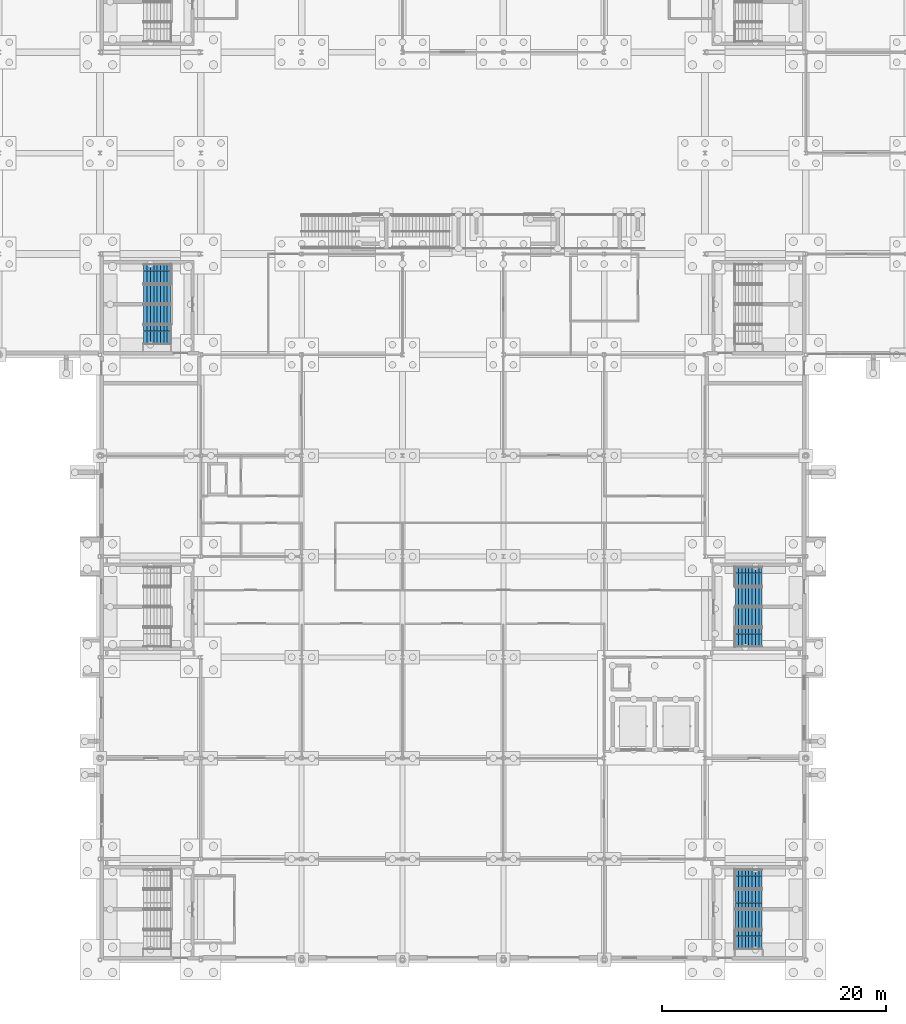
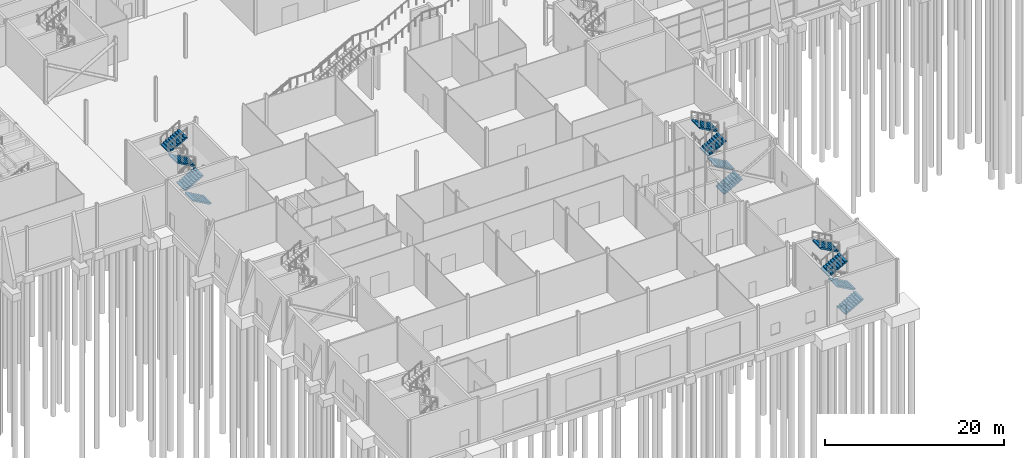
# One storey, part 115 of 139: 12 stair flights, 3 elements without a shape of their own.
"""IFC4 building model written with IfcOpenShell, lengths in metres."""

from ifc_helpers import new_model, si_unit, direction, frame, origin, place, context, subcontext, project, spatial, polyline, outline, extrude, material, type_object, element, aggregate, save


model = new_model("IFC4")

# Units and contexts
model_context = context("Model", 3, precision=1e-05, world=origin(), true_north=direction((0.0, 1.0)))
body_context = subcontext(model_context, "Body", "Model", "MODEL_VIEW")
ifc_project = project(units=[si_unit("LENGTHUNIT", "METRE"), si_unit("AREAUNIT", "SQUARE_METRE"), si_unit("VOLUMEUNIT", "CUBIC_METRE"), si_unit("PLANEANGLEUNIT", "RADIAN"), si_unit("MASSUNIT", "GRAM", prefix="KILO")], contexts=[model_context])

# Site, building, storey
site_placement = place(None, origin())
site = spatial("IfcSite", under=ifc_project, at=site_placement, CompositionType="ELEMENT")
building_placement = place(site_placement, origin())
building = spatial("IfcBuilding", under=site, at=building_placement, Name="Shorebreak Coast Museum", CompositionType="ELEMENT")
storey_placement = place(building_placement, origin())
storey = spatial("IfcBuildingStorey", under=building, at=storey_placement, Name="L00", CompositionType="ELEMENT", Elevation=0.0)

# Stair, stair flights
ifc_material_1 = material(Name="Concrete N40 (40 MPa)", Category="concrete")
stair_type = type_object("IfcStairType", Name="Stair run 6 m", PredefinedType="DOUBLE_RETURN_STAIR", material=ifc_material_1)
stair_1_placement = place(storey_placement, origin())
stair_1 = element("IfcStair", 1, at=stair_1_placement, inside=storey, type_object=stair_type, Name="Exit stair ST01-L00", PredefinedType="DOUBLE_RETURN_STAIR")
ifc_material_2 = material(Name="Concrete N40 (40 MPa)", Category="concrete")
stair_flight_type = type_object("IfcStairFlightType", Name="Stair flight 9 risers 166.67", PredefinedType="STRAIGHT", material=ifc_material_2)
stair_flight_1_placement = place(storey_placement, frame((60.300048828125, 55.800048828125, 0.0), z_axis=(0.0, 0.0, 1.0), x_axis=(-1.0, 0.0, 0.0)))
stair_flight_1 = element("IfcStairFlight", 2, at=stair_flight_1_placement, type_object=stair_flight_type, Name="ST01-L00 flight 1", NumberOfRisers=9, NumberOfTreads=8, PredefinedType="STRAIGHT", RiserHeight=0.166666667, TreadLength=0.3, context=body_context, shape_type="SweptSolid", body=[
    extrude(outline(polyline([(0.0, 0.0), (0.0, 0.166748046875), (0.300048828125, 0.166748046875), (0.300048828125, 0.333251953125), (0.60009765625, 0.333251953125), (0.60009765625, 0.5), (0.89990234375, 0.5), (0.89990234375, 0.666748046875), (1.199951171875, 0.666748046875), (1.199951171875, 0.833251953125), (1.5, 0.833251953125), (1.5, 1.0), (1.800048828125, 1.0), (1.800048828125, 1.166748046875), (2.10009765625, 1.166748046875), (2.10009765625, 1.333251953125), (2.39990234375, 1.333251953125), (2.39990234375, 1.5), (2.39990234375, 1.161865234375), (0.30859375, 0.0), (0.0, 0.0)])), frame((0.0, 0.89990234375, 0.0), z_axis=(0.0, -1.0, 0.0), x_axis=(1.0, 0.0, 0.0)), (0.0, 0.0, 1.0), 0.59326171875),
    extrude(outline(polyline([(0.0, 0.0), (0.0, 0.166748046875), (0.300048828125, 0.166748046875), (0.300048828125, 0.333251953125), (0.60009765625, 0.333251953125), (0.60009765625, 0.5), (0.89990234375, 0.5), (0.89990234375, 0.666748046875), (1.199951171875, 0.666748046875), (1.199951171875, 0.833251953125), (1.5, 0.833251953125), (1.5, 1.0), (1.800048828125, 1.0), (1.800048828125, 1.166748046875), (2.10009765625, 1.166748046875), (2.10009765625, 1.333251953125), (2.39990234375, 1.333251953125), (2.39990234375, 1.5), (2.39990234375, 1.161865234375), (0.30859375, 0.0), (0.0, 0.0)])), frame((0.0, 0.296630859375, 0.0), z_axis=(0.0, -1.0, 0.0), x_axis=(1.0, 0.0, 0.0)), (0.0, 0.0, 1.0), 0.59326171875),
    extrude(outline(polyline([(0.0, 0.0), (0.0, 0.166748046875), (0.300048828125, 0.166748046875), (0.300048828125, 0.333251953125), (0.60009765625, 0.333251953125), (0.60009765625, 0.5), (0.89990234375, 0.5), (0.89990234375, 0.666748046875), (1.199951171875, 0.666748046875), (1.199951171875, 0.833251953125), (1.5, 0.833251953125), (1.5, 1.0), (1.800048828125, 1.0), (1.800048828125, 1.166748046875), (2.10009765625, 1.166748046875), (2.10009765625, 1.333251953125), (2.39990234375, 1.333251953125), (2.39990234375, 1.5), (2.39990234375, 1.161865234375), (0.30859375, 0.0), (0.0, 0.0)])), frame((0.0, -0.306640625, 0.0), z_axis=(0.0, -1.0, 0.0), x_axis=(1.0, 0.0, 0.0)), (0.0, 0.0, 1.0), 0.59326171875),
])
stair_flight_2_placement = place(storey_placement, frame((57.89990234375, 57.60009765625, 1.5), z_axis=(0.0, 0.0, 1.0), x_axis=(1.0, 0.0, 0.0)))
stair_flight_2 = element("IfcStairFlight", 3, at=stair_flight_2_placement, type_object=stair_flight_type, Name="ST01-L00 flight 2", NumberOfRisers=9, NumberOfTreads=8, PredefinedType="STRAIGHT", RiserHeight=0.166666667, TreadLength=0.3, context=body_context, shape_type="SweptSolid", body=[
    extrude(outline(polyline([(0.0, 0.0), (0.0, 0.166748046875), (0.300048828125, 0.166748046875), (0.300048828125, 0.333251953125), (0.60009765625, 0.333251953125), (0.60009765625, 0.5), (0.89990234375, 0.5), (0.89990234375, 0.666748046875), (1.199951171875, 0.666748046875), (1.199951171875, 0.833251953125), (1.5, 0.833251953125), (1.5, 1.0), (1.800048828125, 1.0), (1.800048828125, 1.166748046875), (2.10009765625, 1.166748046875), (2.10009765625, 1.333251953125), (2.39990234375, 1.333251953125), (2.39990234375, 1.5), (2.39990234375, 1.161865234375), (0.30859375, 0.0), (0.0, 0.0)])), frame((0.0, 0.89990234375, 0.0), z_axis=(0.0, -1.0, 0.0), x_axis=(1.0, 0.0, 0.0)), (0.0, 0.0, 1.0), 0.59326171875),
    extrude(outline(polyline([(0.0, 0.0), (0.0, 0.166748046875), (0.300048828125, 0.166748046875), (0.300048828125, 0.333251953125), (0.60009765625, 0.333251953125), (0.60009765625, 0.5), (0.89990234375, 0.5), (0.89990234375, 0.666748046875), (1.199951171875, 0.666748046875), (1.199951171875, 0.833251953125), (1.5, 0.833251953125), (1.5, 1.0), (1.800048828125, 1.0), (1.800048828125, 1.166748046875), (2.10009765625, 1.166748046875), (2.10009765625, 1.333251953125), (2.39990234375, 1.333251953125), (2.39990234375, 1.5), (2.39990234375, 1.161865234375), (0.30859375, 0.0), (0.0, 0.0)])), frame((0.0, 0.296630859375, 0.0), z_axis=(0.0, -1.0, 0.0), x_axis=(1.0, 0.0, 0.0)), (0.0, 0.0, 1.0), 0.59326171875),
    extrude(outline(polyline([(0.0, 0.0), (0.0, 0.166748046875), (0.300048828125, 0.166748046875), (0.300048828125, 0.333251953125), (0.60009765625, 0.333251953125), (0.60009765625, 0.5), (0.89990234375, 0.5), (0.89990234375, 0.666748046875), (1.199951171875, 0.666748046875), (1.199951171875, 0.833251953125), (1.5, 0.833251953125), (1.5, 1.0), (1.800048828125, 1.0), (1.800048828125, 1.166748046875), (2.10009765625, 1.166748046875), (2.10009765625, 1.333251953125), (2.39990234375, 1.333251953125), (2.39990234375, 1.5), (2.39990234375, 1.161865234375), (0.30859375, 0.0), (0.0, 0.0)])), frame((0.0, -0.306640625, 0.0), z_axis=(0.0, -1.0, 0.0), x_axis=(1.0, 0.0, 0.0)), (0.0, 0.0, 1.0), 0.59326171875),
])
stair_flight_3_placement = place(storey_placement, frame((60.300048828125, 59.39990234375, 3.0), z_axis=(0.0, 0.0, 1.0), x_axis=(-1.0, 0.0, 0.0)))
stair_flight_3 = element("IfcStairFlight", 4, at=stair_flight_3_placement, type_object=stair_flight_type, Name="ST01-L00 flight 3", NumberOfRisers=9, NumberOfTreads=8, PredefinedType="STRAIGHT", RiserHeight=0.166666667, TreadLength=0.3, context=body_context, shape_type="SweptSolid", body=[
    extrude(outline(polyline([(0.0, 0.0), (0.0, 0.166748046875), (0.300048828125, 0.166748046875), (0.300048828125, 0.333251953125), (0.60009765625, 0.333251953125), (0.60009765625, 0.5), (0.89990234375, 0.5), (0.89990234375, 0.666748046875), (1.199951171875, 0.666748046875), (1.199951171875, 0.833251953125), (1.5, 0.833251953125), (1.5, 1.0), (1.800048828125, 1.0), (1.800048828125, 1.166748046875), (2.10009765625, 1.166748046875), (2.10009765625, 1.333251953125), (2.39990234375, 1.333251953125), (2.39990234375, 1.5), (2.39990234375, 1.161865234375), (0.30859375, 0.0), (0.0, 0.0)])), frame((0.0, 0.89990234375, 0.0), z_axis=(0.0, -1.0, 0.0), x_axis=(1.0, 0.0, 0.0)), (0.0, 0.0, 1.0), 0.59326171875),
    extrude(outline(polyline([(0.0, 0.0), (0.0, 0.166748046875), (0.300048828125, 0.166748046875), (0.300048828125, 0.333251953125), (0.60009765625, 0.333251953125), (0.60009765625, 0.5), (0.89990234375, 0.5), (0.89990234375, 0.666748046875), (1.199951171875, 0.666748046875), (1.199951171875, 0.833251953125), (1.5, 0.833251953125), (1.5, 1.0), (1.800048828125, 1.0), (1.800048828125, 1.166748046875), (2.10009765625, 1.166748046875), (2.10009765625, 1.333251953125), (2.39990234375, 1.333251953125), (2.39990234375, 1.5), (2.39990234375, 1.161865234375), (0.30859375, 0.0), (0.0, 0.0)])), frame((0.0, 0.296630859375, 0.0), z_axis=(0.0, -1.0, 0.0), x_axis=(1.0, 0.0, 0.0)), (0.0, 0.0, 1.0), 0.59326171875),
    extrude(outline(polyline([(0.0, 0.0), (0.0, 0.166748046875), (0.300048828125, 0.166748046875), (0.300048828125, 0.333251953125), (0.60009765625, 0.333251953125), (0.60009765625, 0.5), (0.89990234375, 0.5), (0.89990234375, 0.666748046875), (1.199951171875, 0.666748046875), (1.199951171875, 0.833251953125), (1.5, 0.833251953125), (1.5, 1.0), (1.800048828125, 1.0), (1.800048828125, 1.166748046875), (2.10009765625, 1.166748046875), (2.10009765625, 1.333251953125), (2.39990234375, 1.333251953125), (2.39990234375, 1.5), (2.39990234375, 1.161865234375), (0.30859375, 0.0), (0.0, 0.0)])), frame((0.0, -0.306640625, 0.0), z_axis=(0.0, -1.0, 0.0), x_axis=(1.0, 0.0, 0.0)), (0.0, 0.0, 1.0), 0.59326171875),
])
stair_flight_4_placement = place(storey_placement, frame((57.89990234375, 61.199951171875, 4.5), z_axis=(0.0, 0.0, 1.0), x_axis=(1.0, 0.0, 0.0)))
stair_flight_4 = element("IfcStairFlight", 5, at=stair_flight_4_placement, type_object=stair_flight_type, Name="ST01-L00 flight 4", NumberOfRisers=9, NumberOfTreads=8, PredefinedType="STRAIGHT", RiserHeight=0.166666667, TreadLength=0.3, context=body_context, shape_type="SweptSolid", body=[
    extrude(outline(polyline([(0.0, 0.0), (0.0, 0.166748046875), (0.300048828125, 0.166748046875), (0.300048828125, 0.333251953125), (0.60009765625, 0.333251953125), (0.60009765625, 0.5), (0.89990234375, 0.5), (0.89990234375, 0.666748046875), (1.199951171875, 0.666748046875), (1.199951171875, 0.833251953125), (1.5, 0.833251953125), (1.5, 1.0), (1.800048828125, 1.0), (1.800048828125, 1.166748046875), (2.10009765625, 1.166748046875), (2.10009765625, 1.333251953125), (2.39990234375, 1.333251953125), (2.39990234375, 1.5), (2.39990234375, 1.161865234375), (0.30859375, 0.0), (0.0, 0.0)])), frame((0.0, 0.89990234375, 0.0), z_axis=(0.0, -1.0, 0.0), x_axis=(1.0, 0.0, 0.0)), (0.0, 0.0, 1.0), 0.59326171875),
    extrude(outline(polyline([(0.0, 0.0), (0.0, 0.166748046875), (0.300048828125, 0.166748046875), (0.300048828125, 0.333251953125), (0.60009765625, 0.333251953125), (0.60009765625, 0.5), (0.89990234375, 0.5), (0.89990234375, 0.666748046875), (1.199951171875, 0.666748046875), (1.199951171875, 0.833251953125), (1.5, 0.833251953125), (1.5, 1.0), (1.800048828125, 1.0), (1.800048828125, 1.166748046875), (2.10009765625, 1.166748046875), (2.10009765625, 1.333251953125), (2.39990234375, 1.333251953125), (2.39990234375, 1.5), (2.39990234375, 1.161865234375), (0.30859375, 0.0), (0.0, 0.0)])), frame((0.0, 0.296630859375, 0.0), z_axis=(0.0, -1.0, 0.0), x_axis=(1.0, 0.0, 0.0)), (0.0, 0.0, 1.0), 0.59326171875),
    extrude(outline(polyline([(0.0, 0.0), (0.0, 0.166748046875), (0.300048828125, 0.166748046875), (0.300048828125, 0.333251953125), (0.60009765625, 0.333251953125), (0.60009765625, 0.5), (0.89990234375, 0.5), (0.89990234375, 0.666748046875), (1.199951171875, 0.666748046875), (1.199951171875, 0.833251953125), (1.5, 0.833251953125), (1.5, 1.0), (1.800048828125, 1.0), (1.800048828125, 1.166748046875), (2.10009765625, 1.166748046875), (2.10009765625, 1.333251953125), (2.39990234375, 1.333251953125), (2.39990234375, 1.5), (2.39990234375, 1.161865234375), (0.30859375, 0.0), (0.0, 0.0)])), frame((0.0, -0.306640625, 0.0), z_axis=(0.0, -1.0, 0.0), x_axis=(1.0, 0.0, 0.0)), (0.0, 0.0, 1.0), 0.59326171875),
])
aggregate(stair_1, [stair_flight_1, stair_flight_2, stair_flight_3, stair_flight_4])

stair_2_placement = place(storey_placement, origin())
stair_2 = element("IfcStair", 6, at=stair_2_placement, inside=storey, type_object=stair_type, Name="Exit stair ST12-L00", PredefinedType="DOUBLE_RETURN_STAIR")
stair_flight_5_placement = place(storey_placement, frame((110.699951171875, 1.800048828125, 0.0), z_axis=(0.0, 0.0, 1.0), x_axis=(1.0, 0.0, 0.0)))
stair_flight_5 = element("IfcStairFlight", 7, at=stair_flight_5_placement, type_object=stair_flight_type, Name="ST12-L00 flight 1", NumberOfRisers=9, NumberOfTreads=8, PredefinedType="STRAIGHT", RiserHeight=0.166666667, TreadLength=0.3, context=body_context, shape_type="SweptSolid", body=[
    extrude(outline(polyline([(0.0, 0.0), (0.0, 0.166748046875), (0.300048828125, 0.166748046875), (0.300048828125, 0.333251953125), (0.60009765625, 0.333251953125), (0.60009765625, 0.5), (0.89990234375, 0.5), (0.89990234375, 0.666748046875), (1.199951171875, 0.666748046875), (1.199951171875, 0.833251953125), (1.5, 0.833251953125), (1.5, 1.0), (1.800048828125, 1.0), (1.800048828125, 1.166748046875), (2.10009765625, 1.166748046875), (2.10009765625, 1.333251953125), (2.39990234375, 1.333251953125), (2.39990234375, 1.5), (2.39990234375, 1.161865234375), (0.30859375, 0.0), (0.0, 0.0)])), frame((0.0, 0.89990234375, 0.0), z_axis=(0.0, -1.0, 0.0), x_axis=(1.0, 0.0, 0.0)), (0.0, 0.0, 1.0), 0.59326171875),
    extrude(outline(polyline([(0.0, 0.0), (0.0, 0.166748046875), (0.300048828125, 0.166748046875), (0.300048828125, 0.333251953125), (0.60009765625, 0.333251953125), (0.60009765625, 0.5), (0.89990234375, 0.5), (0.89990234375, 0.666748046875), (1.199951171875, 0.666748046875), (1.199951171875, 0.833251953125), (1.5, 0.833251953125), (1.5, 1.0), (1.800048828125, 1.0), (1.800048828125, 1.166748046875), (2.10009765625, 1.166748046875), (2.10009765625, 1.333251953125), (2.39990234375, 1.333251953125), (2.39990234375, 1.5), (2.39990234375, 1.161865234375), (0.30859375, 0.0), (0.0, 0.0)])), frame((0.0, 0.296630859375, 0.0), z_axis=(0.0, -1.0, 0.0), x_axis=(1.0, 0.0, 0.0)), (0.0, 0.0, 1.0), 0.59326171875),
    extrude(outline(polyline([(0.0, 0.0), (0.0, 0.166748046875), (0.300048828125, 0.166748046875), (0.300048828125, 0.333251953125), (0.60009765625, 0.333251953125), (0.60009765625, 0.5), (0.89990234375, 0.5), (0.89990234375, 0.666748046875), (1.199951171875, 0.666748046875), (1.199951171875, 0.833251953125), (1.5, 0.833251953125), (1.5, 1.0), (1.800048828125, 1.0), (1.800048828125, 1.166748046875), (2.10009765625, 1.166748046875), (2.10009765625, 1.333251953125), (2.39990234375, 1.333251953125), (2.39990234375, 1.5), (2.39990234375, 1.161865234375), (0.30859375, 0.0), (0.0, 0.0)])), frame((0.0, -0.306640625, 0.0), z_axis=(0.0, -1.0, 0.0), x_axis=(1.0, 0.0, 0.0)), (0.0, 0.0, 1.0), 0.59326171875),
])
stair_flight_6_placement = place(storey_placement, frame((113.10009765625, 3.60009765625, 1.5), z_axis=(0.0, 0.0, 1.0), x_axis=(-1.0, 0.0, 0.0)))
stair_flight_6 = element("IfcStairFlight", 8, at=stair_flight_6_placement, type_object=stair_flight_type, Name="ST12-L00 flight 2", NumberOfRisers=9, NumberOfTreads=8, PredefinedType="STRAIGHT", RiserHeight=0.166666667, TreadLength=0.3, context=body_context, shape_type="SweptSolid", body=[
    extrude(outline(polyline([(0.0, 0.0), (0.0, 0.166748046875), (0.300048828125, 0.166748046875), (0.300048828125, 0.333251953125), (0.60009765625, 0.333251953125), (0.60009765625, 0.5), (0.89990234375, 0.5), (0.89990234375, 0.666748046875), (1.199951171875, 0.666748046875), (1.199951171875, 0.833251953125), (1.5, 0.833251953125), (1.5, 1.0), (1.800048828125, 1.0), (1.800048828125, 1.166748046875), (2.10009765625, 1.166748046875), (2.10009765625, 1.333251953125), (2.39990234375, 1.333251953125), (2.39990234375, 1.5), (2.39990234375, 1.161865234375), (0.30859375, 0.0), (0.0, 0.0)])), frame((0.0, 0.89990234375, 0.0), z_axis=(0.0, -1.0, 0.0), x_axis=(1.0, 0.0, 0.0)), (0.0, 0.0, 1.0), 0.59326171875),
    extrude(outline(polyline([(0.0, 0.0), (0.0, 0.166748046875), (0.300048828125, 0.166748046875), (0.300048828125, 0.333251953125), (0.60009765625, 0.333251953125), (0.60009765625, 0.5), (0.89990234375, 0.5), (0.89990234375, 0.666748046875), (1.199951171875, 0.666748046875), (1.199951171875, 0.833251953125), (1.5, 0.833251953125), (1.5, 1.0), (1.800048828125, 1.0), (1.800048828125, 1.166748046875), (2.10009765625, 1.166748046875), (2.10009765625, 1.333251953125), (2.39990234375, 1.333251953125), (2.39990234375, 1.5), (2.39990234375, 1.161865234375), (0.30859375, 0.0), (0.0, 0.0)])), frame((0.0, 0.296630859375, 0.0), z_axis=(0.0, -1.0, 0.0), x_axis=(1.0, 0.0, 0.0)), (0.0, 0.0, 1.0), 0.59326171875),
    extrude(outline(polyline([(0.0, 0.0), (0.0, 0.166748046875), (0.300048828125, 0.166748046875), (0.300048828125, 0.333251953125), (0.60009765625, 0.333251953125), (0.60009765625, 0.5), (0.89990234375, 0.5), (0.89990234375, 0.666748046875), (1.199951171875, 0.666748046875), (1.199951171875, 0.833251953125), (1.5, 0.833251953125), (1.5, 1.0), (1.800048828125, 1.0), (1.800048828125, 1.166748046875), (2.10009765625, 1.166748046875), (2.10009765625, 1.333251953125), (2.39990234375, 1.333251953125), (2.39990234375, 1.5), (2.39990234375, 1.161865234375), (0.30859375, 0.0), (0.0, 0.0)])), frame((0.0, -0.306640625, 0.0), z_axis=(0.0, -1.0, 0.0), x_axis=(1.0, 0.0, 0.0)), (0.0, 0.0, 1.0), 0.59326171875),
])
stair_flight_7_placement = place(storey_placement, frame((110.699951171875, 5.39990234375, 3.0), z_axis=(0.0, 0.0, 1.0), x_axis=(1.0, 0.0, 0.0)))
stair_flight_7 = element("IfcStairFlight", 9, at=stair_flight_7_placement, type_object=stair_flight_type, Name="ST12-L00 flight 3", NumberOfRisers=9, NumberOfTreads=8, PredefinedType="STRAIGHT", RiserHeight=0.166666667, TreadLength=0.3, context=body_context, shape_type="SweptSolid", body=[
    extrude(outline(polyline([(0.0, 0.0), (0.0, 0.166748046875), (0.300048828125, 0.166748046875), (0.300048828125, 0.333251953125), (0.60009765625, 0.333251953125), (0.60009765625, 0.5), (0.89990234375, 0.5), (0.89990234375, 0.666748046875), (1.199951171875, 0.666748046875), (1.199951171875, 0.833251953125), (1.5, 0.833251953125), (1.5, 1.0), (1.800048828125, 1.0), (1.800048828125, 1.166748046875), (2.10009765625, 1.166748046875), (2.10009765625, 1.333251953125), (2.39990234375, 1.333251953125), (2.39990234375, 1.5), (2.39990234375, 1.161865234375), (0.30859375, 0.0), (0.0, 0.0)])), frame((0.0, 0.89990234375, 0.0), z_axis=(0.0, -1.0, 0.0), x_axis=(1.0, 0.0, 0.0)), (0.0, 0.0, 1.0), 0.59326171875),
    extrude(outline(polyline([(0.0, 0.0), (0.0, 0.166748046875), (0.300048828125, 0.166748046875), (0.300048828125, 0.333251953125), (0.60009765625, 0.333251953125), (0.60009765625, 0.5), (0.89990234375, 0.5), (0.89990234375, 0.666748046875), (1.199951171875, 0.666748046875), (1.199951171875, 0.833251953125), (1.5, 0.833251953125), (1.5, 1.0), (1.800048828125, 1.0), (1.800048828125, 1.166748046875), (2.10009765625, 1.166748046875), (2.10009765625, 1.333251953125), (2.39990234375, 1.333251953125), (2.39990234375, 1.5), (2.39990234375, 1.161865234375), (0.30859375, 0.0), (0.0, 0.0)])), frame((0.0, 0.296630859375, 0.0), z_axis=(0.0, -1.0, 0.0), x_axis=(1.0, 0.0, 0.0)), (0.0, 0.0, 1.0), 0.59326171875),
    extrude(outline(polyline([(0.0, 0.0), (0.0, 0.166748046875), (0.300048828125, 0.166748046875), (0.300048828125, 0.333251953125), (0.60009765625, 0.333251953125), (0.60009765625, 0.5), (0.89990234375, 0.5), (0.89990234375, 0.666748046875), (1.199951171875, 0.666748046875), (1.199951171875, 0.833251953125), (1.5, 0.833251953125), (1.5, 1.0), (1.800048828125, 1.0), (1.800048828125, 1.166748046875), (2.10009765625, 1.166748046875), (2.10009765625, 1.333251953125), (2.39990234375, 1.333251953125), (2.39990234375, 1.5), (2.39990234375, 1.161865234375), (0.30859375, 0.0), (0.0, 0.0)])), frame((0.0, -0.306640625, 0.0), z_axis=(0.0, -1.0, 0.0), x_axis=(1.0, 0.0, 0.0)), (0.0, 0.0, 1.0), 0.59326171875),
])
stair_flight_8_placement = place(storey_placement, frame((113.10009765625, 7.199951171875, 4.5), z_axis=(0.0, 0.0, 1.0), x_axis=(-1.0, 0.0, 0.0)))
stair_flight_8 = element("IfcStairFlight", 10, at=stair_flight_8_placement, type_object=stair_flight_type, Name="ST12-L00 flight 4", NumberOfRisers=9, NumberOfTreads=8, PredefinedType="STRAIGHT", RiserHeight=0.166666667, TreadLength=0.3, context=body_context, shape_type="SweptSolid", body=[
    extrude(outline(polyline([(0.0, 0.0), (0.0, 0.166748046875), (0.300048828125, 0.166748046875), (0.300048828125, 0.333251953125), (0.60009765625, 0.333251953125), (0.60009765625, 0.5), (0.89990234375, 0.5), (0.89990234375, 0.666748046875), (1.199951171875, 0.666748046875), (1.199951171875, 0.833251953125), (1.5, 0.833251953125), (1.5, 1.0), (1.800048828125, 1.0), (1.800048828125, 1.166748046875), (2.10009765625, 1.166748046875), (2.10009765625, 1.333251953125), (2.39990234375, 1.333251953125), (2.39990234375, 1.5), (2.39990234375, 1.161865234375), (0.30859375, 0.0), (0.0, 0.0)])), frame((0.0, 0.89990234375, 0.0), z_axis=(0.0, -1.0, 0.0), x_axis=(1.0, 0.0, 0.0)), (0.0, 0.0, 1.0), 0.59326171875),
    extrude(outline(polyline([(0.0, 0.0), (0.0, 0.166748046875), (0.300048828125, 0.166748046875), (0.300048828125, 0.333251953125), (0.60009765625, 0.333251953125), (0.60009765625, 0.5), (0.89990234375, 0.5), (0.89990234375, 0.666748046875), (1.199951171875, 0.666748046875), (1.199951171875, 0.833251953125), (1.5, 0.833251953125), (1.5, 1.0), (1.800048828125, 1.0), (1.800048828125, 1.166748046875), (2.10009765625, 1.166748046875), (2.10009765625, 1.333251953125), (2.39990234375, 1.333251953125), (2.39990234375, 1.5), (2.39990234375, 1.161865234375), (0.30859375, 0.0), (0.0, 0.0)])), frame((0.0, 0.296630859375, 0.0), z_axis=(0.0, -1.0, 0.0), x_axis=(1.0, 0.0, 0.0)), (0.0, 0.0, 1.0), 0.59326171875),
    extrude(outline(polyline([(0.0, 0.0), (0.0, 0.166748046875), (0.300048828125, 0.166748046875), (0.300048828125, 0.333251953125), (0.60009765625, 0.333251953125), (0.60009765625, 0.5), (0.89990234375, 0.5), (0.89990234375, 0.666748046875), (1.199951171875, 0.666748046875), (1.199951171875, 0.833251953125), (1.5, 0.833251953125), (1.5, 1.0), (1.800048828125, 1.0), (1.800048828125, 1.166748046875), (2.10009765625, 1.166748046875), (2.10009765625, 1.333251953125), (2.39990234375, 1.333251953125), (2.39990234375, 1.5), (2.39990234375, 1.161865234375), (0.30859375, 0.0), (0.0, 0.0)])), frame((0.0, -0.306640625, 0.0), z_axis=(0.0, -1.0, 0.0), x_axis=(1.0, 0.0, 0.0)), (0.0, 0.0, 1.0), 0.59326171875),
])
aggregate(stair_2, [stair_flight_5, stair_flight_6, stair_flight_7, stair_flight_8])

stair_3_placement = place(storey_placement, origin())
stair_3 = element("IfcStair", 11, at=stair_3_placement, inside=storey, type_object=stair_type, Name="Exit stair ST14-L00", PredefinedType="DOUBLE_RETURN_STAIR")
stair_flight_9_placement = place(storey_placement, frame((110.699951171875, 28.800048828125, 0.0), z_axis=(0.0, 0.0, 1.0), x_axis=(1.0, 0.0, 0.0)))
stair_flight_9 = element("IfcStairFlight", 12, at=stair_flight_9_placement, type_object=stair_flight_type, Name="ST14-L00 flight 1", NumberOfRisers=9, NumberOfTreads=8, PredefinedType="STRAIGHT", RiserHeight=0.166666667, TreadLength=0.3, context=body_context, shape_type="SweptSolid", body=[
    extrude(outline(polyline([(0.0, 0.0), (0.0, 0.166748046875), (0.300048828125, 0.166748046875), (0.300048828125, 0.333251953125), (0.60009765625, 0.333251953125), (0.60009765625, 0.5), (0.89990234375, 0.5), (0.89990234375, 0.666748046875), (1.199951171875, 0.666748046875), (1.199951171875, 0.833251953125), (1.5, 0.833251953125), (1.5, 1.0), (1.800048828125, 1.0), (1.800048828125, 1.166748046875), (2.10009765625, 1.166748046875), (2.10009765625, 1.333251953125), (2.39990234375, 1.333251953125), (2.39990234375, 1.5), (2.39990234375, 1.161865234375), (0.30859375, 0.0), (0.0, 0.0)])), frame((0.0, 0.89990234375, 0.0), z_axis=(0.0, -1.0, 0.0), x_axis=(1.0, 0.0, 0.0)), (0.0, 0.0, 1.0), 0.59326171875),
    extrude(outline(polyline([(0.0, 0.0), (0.0, 0.166748046875), (0.300048828125, 0.166748046875), (0.300048828125, 0.333251953125), (0.60009765625, 0.333251953125), (0.60009765625, 0.5), (0.89990234375, 0.5), (0.89990234375, 0.666748046875), (1.199951171875, 0.666748046875), (1.199951171875, 0.833251953125), (1.5, 0.833251953125), (1.5, 1.0), (1.800048828125, 1.0), (1.800048828125, 1.166748046875), (2.10009765625, 1.166748046875), (2.10009765625, 1.333251953125), (2.39990234375, 1.333251953125), (2.39990234375, 1.5), (2.39990234375, 1.161865234375), (0.30859375, 0.0), (0.0, 0.0)])), frame((0.0, 0.296630859375, 0.0), z_axis=(0.0, -1.0, 0.0), x_axis=(1.0, 0.0, 0.0)), (0.0, 0.0, 1.0), 0.59326171875),
    extrude(outline(polyline([(0.0, 0.0), (0.0, 0.166748046875), (0.300048828125, 0.166748046875), (0.300048828125, 0.333251953125), (0.60009765625, 0.333251953125), (0.60009765625, 0.5), (0.89990234375, 0.5), (0.89990234375, 0.666748046875), (1.199951171875, 0.666748046875), (1.199951171875, 0.833251953125), (1.5, 0.833251953125), (1.5, 1.0), (1.800048828125, 1.0), (1.800048828125, 1.166748046875), (2.10009765625, 1.166748046875), (2.10009765625, 1.333251953125), (2.39990234375, 1.333251953125), (2.39990234375, 1.5), (2.39990234375, 1.161865234375), (0.30859375, 0.0), (0.0, 0.0)])), frame((0.0, -0.306640625, 0.0), z_axis=(0.0, -1.0, 0.0), x_axis=(1.0, 0.0, 0.0)), (0.0, 0.0, 1.0), 0.59326171875),
])
stair_flight_10_placement = place(storey_placement, frame((113.10009765625, 30.60009765625, 1.5), z_axis=(0.0, 0.0, 1.0), x_axis=(-1.0, 0.0, 0.0)))
stair_flight_10 = element("IfcStairFlight", 13, at=stair_flight_10_placement, type_object=stair_flight_type, Name="ST14-L00 flight 2", NumberOfRisers=9, NumberOfTreads=8, PredefinedType="STRAIGHT", RiserHeight=0.166666667, TreadLength=0.3, context=body_context, shape_type="SweptSolid", body=[
    extrude(outline(polyline([(0.0, 0.0), (0.0, 0.166748046875), (0.300048828125, 0.166748046875), (0.300048828125, 0.333251953125), (0.60009765625, 0.333251953125), (0.60009765625, 0.5), (0.89990234375, 0.5), (0.89990234375, 0.666748046875), (1.199951171875, 0.666748046875), (1.199951171875, 0.833251953125), (1.5, 0.833251953125), (1.5, 1.0), (1.800048828125, 1.0), (1.800048828125, 1.166748046875), (2.10009765625, 1.166748046875), (2.10009765625, 1.333251953125), (2.39990234375, 1.333251953125), (2.39990234375, 1.5), (2.39990234375, 1.161865234375), (0.30859375, 0.0), (0.0, 0.0)])), frame((0.0, 0.89990234375, 0.0), z_axis=(0.0, -1.0, 0.0), x_axis=(1.0, 0.0, 0.0)), (0.0, 0.0, 1.0), 0.59326171875),
    extrude(outline(polyline([(0.0, 0.0), (0.0, 0.166748046875), (0.300048828125, 0.166748046875), (0.300048828125, 0.333251953125), (0.60009765625, 0.333251953125), (0.60009765625, 0.5), (0.89990234375, 0.5), (0.89990234375, 0.666748046875), (1.199951171875, 0.666748046875), (1.199951171875, 0.833251953125), (1.5, 0.833251953125), (1.5, 1.0), (1.800048828125, 1.0), (1.800048828125, 1.166748046875), (2.10009765625, 1.166748046875), (2.10009765625, 1.333251953125), (2.39990234375, 1.333251953125), (2.39990234375, 1.5), (2.39990234375, 1.161865234375), (0.30859375, 0.0), (0.0, 0.0)])), frame((0.0, 0.296630859375, 0.0), z_axis=(0.0, -1.0, 0.0), x_axis=(1.0, 0.0, 0.0)), (0.0, 0.0, 1.0), 0.59326171875),
    extrude(outline(polyline([(0.0, 0.0), (0.0, 0.166748046875), (0.300048828125, 0.166748046875), (0.300048828125, 0.333251953125), (0.60009765625, 0.333251953125), (0.60009765625, 0.5), (0.89990234375, 0.5), (0.89990234375, 0.666748046875), (1.199951171875, 0.666748046875), (1.199951171875, 0.833251953125), (1.5, 0.833251953125), (1.5, 1.0), (1.800048828125, 1.0), (1.800048828125, 1.166748046875), (2.10009765625, 1.166748046875), (2.10009765625, 1.333251953125), (2.39990234375, 1.333251953125), (2.39990234375, 1.5), (2.39990234375, 1.161865234375), (0.30859375, 0.0), (0.0, 0.0)])), frame((0.0, -0.306640625, 0.0), z_axis=(0.0, -1.0, 0.0), x_axis=(1.0, 0.0, 0.0)), (0.0, 0.0, 1.0), 0.59326171875),
])
stair_flight_11_placement = place(storey_placement, frame((110.699951171875, 32.39990234375, 3.0), z_axis=(0.0, 0.0, 1.0), x_axis=(1.0, 0.0, 0.0)))
stair_flight_11 = element("IfcStairFlight", 14, at=stair_flight_11_placement, type_object=stair_flight_type, Name="ST14-L00 flight 3", NumberOfRisers=9, NumberOfTreads=8, PredefinedType="STRAIGHT", RiserHeight=0.166666667, TreadLength=0.3, context=body_context, shape_type="SweptSolid", body=[
    extrude(outline(polyline([(0.0, 0.0), (0.0, 0.166748046875), (0.300048828125, 0.166748046875), (0.300048828125, 0.333251953125), (0.60009765625, 0.333251953125), (0.60009765625, 0.5), (0.89990234375, 0.5), (0.89990234375, 0.666748046875), (1.199951171875, 0.666748046875), (1.199951171875, 0.833251953125), (1.5, 0.833251953125), (1.5, 1.0), (1.800048828125, 1.0), (1.800048828125, 1.166748046875), (2.10009765625, 1.166748046875), (2.10009765625, 1.333251953125), (2.39990234375, 1.333251953125), (2.39990234375, 1.5), (2.39990234375, 1.161865234375), (0.30859375, 0.0), (0.0, 0.0)])), frame((0.0, 0.89990234375, 0.0), z_axis=(0.0, -1.0, 0.0), x_axis=(1.0, 0.0, 0.0)), (0.0, 0.0, 1.0), 0.59326171875),
    extrude(outline(polyline([(0.0, 0.0), (0.0, 0.166748046875), (0.300048828125, 0.166748046875), (0.300048828125, 0.333251953125), (0.60009765625, 0.333251953125), (0.60009765625, 0.5), (0.89990234375, 0.5), (0.89990234375, 0.666748046875), (1.199951171875, 0.666748046875), (1.199951171875, 0.833251953125), (1.5, 0.833251953125), (1.5, 1.0), (1.800048828125, 1.0), (1.800048828125, 1.166748046875), (2.10009765625, 1.166748046875), (2.10009765625, 1.333251953125), (2.39990234375, 1.333251953125), (2.39990234375, 1.5), (2.39990234375, 1.161865234375), (0.30859375, 0.0), (0.0, 0.0)])), frame((0.0, 0.296630859375, 0.0), z_axis=(0.0, -1.0, 0.0), x_axis=(1.0, 0.0, 0.0)), (0.0, 0.0, 1.0), 0.59326171875),
    extrude(outline(polyline([(0.0, 0.0), (0.0, 0.166748046875), (0.300048828125, 0.166748046875), (0.300048828125, 0.333251953125), (0.60009765625, 0.333251953125), (0.60009765625, 0.5), (0.89990234375, 0.5), (0.89990234375, 0.666748046875), (1.199951171875, 0.666748046875), (1.199951171875, 0.833251953125), (1.5, 0.833251953125), (1.5, 1.0), (1.800048828125, 1.0), (1.800048828125, 1.166748046875), (2.10009765625, 1.166748046875), (2.10009765625, 1.333251953125), (2.39990234375, 1.333251953125), (2.39990234375, 1.5), (2.39990234375, 1.161865234375), (0.30859375, 0.0), (0.0, 0.0)])), frame((0.0, -0.306640625, 0.0), z_axis=(0.0, -1.0, 0.0), x_axis=(1.0, 0.0, 0.0)), (0.0, 0.0, 1.0), 0.59326171875),
])
stair_flight_12_placement = place(storey_placement, frame((113.10009765625, 34.199951171875, 4.5), z_axis=(0.0, 0.0, 1.0), x_axis=(-1.0, 0.0, 0.0)))
stair_flight_12 = element("IfcStairFlight", 15, at=stair_flight_12_placement, type_object=stair_flight_type, Name="ST14-L00 flight 4", NumberOfRisers=9, NumberOfTreads=8, PredefinedType="STRAIGHT", RiserHeight=0.166666667, TreadLength=0.3, context=body_context, shape_type="SweptSolid", body=[
    extrude(outline(polyline([(0.0, 0.0), (0.0, 0.166748046875), (0.300048828125, 0.166748046875), (0.300048828125, 0.333251953125), (0.60009765625, 0.333251953125), (0.60009765625, 0.5), (0.89990234375, 0.5), (0.89990234375, 0.666748046875), (1.199951171875, 0.666748046875), (1.199951171875, 0.833251953125), (1.5, 0.833251953125), (1.5, 1.0), (1.800048828125, 1.0), (1.800048828125, 1.166748046875), (2.10009765625, 1.166748046875), (2.10009765625, 1.333251953125), (2.39990234375, 1.333251953125), (2.39990234375, 1.5), (2.39990234375, 1.161865234375), (0.30859375, 0.0), (0.0, 0.0)])), frame((0.0, 0.89990234375, 0.0), z_axis=(0.0, -1.0, 0.0), x_axis=(1.0, 0.0, 0.0)), (0.0, 0.0, 1.0), 0.59326171875),
    extrude(outline(polyline([(0.0, 0.0), (0.0, 0.166748046875), (0.300048828125, 0.166748046875), (0.300048828125, 0.333251953125), (0.60009765625, 0.333251953125), (0.60009765625, 0.5), (0.89990234375, 0.5), (0.89990234375, 0.666748046875), (1.199951171875, 0.666748046875), (1.199951171875, 0.833251953125), (1.5, 0.833251953125), (1.5, 1.0), (1.800048828125, 1.0), (1.800048828125, 1.166748046875), (2.10009765625, 1.166748046875), (2.10009765625, 1.333251953125), (2.39990234375, 1.333251953125), (2.39990234375, 1.5), (2.39990234375, 1.161865234375), (0.30859375, 0.0), (0.0, 0.0)])), frame((0.0, 0.296630859375, 0.0), z_axis=(0.0, -1.0, 0.0), x_axis=(1.0, 0.0, 0.0)), (0.0, 0.0, 1.0), 0.59326171875),
    extrude(outline(polyline([(0.0, 0.0), (0.0, 0.166748046875), (0.300048828125, 0.166748046875), (0.300048828125, 0.333251953125), (0.60009765625, 0.333251953125), (0.60009765625, 0.5), (0.89990234375, 0.5), (0.89990234375, 0.666748046875), (1.199951171875, 0.666748046875), (1.199951171875, 0.833251953125), (1.5, 0.833251953125), (1.5, 1.0), (1.800048828125, 1.0), (1.800048828125, 1.166748046875), (2.10009765625, 1.166748046875), (2.10009765625, 1.333251953125), (2.39990234375, 1.333251953125), (2.39990234375, 1.5), (2.39990234375, 1.161865234375), (0.30859375, 0.0), (0.0, 0.0)])), frame((0.0, -0.306640625, 0.0), z_axis=(0.0, -1.0, 0.0), x_axis=(1.0, 0.0, 0.0)), (0.0, 0.0, 1.0), 0.59326171875),
])
aggregate(stair_3, [stair_flight_9, stair_flight_10, stair_flight_11, stair_flight_12])

save(model, "model.ifc")
